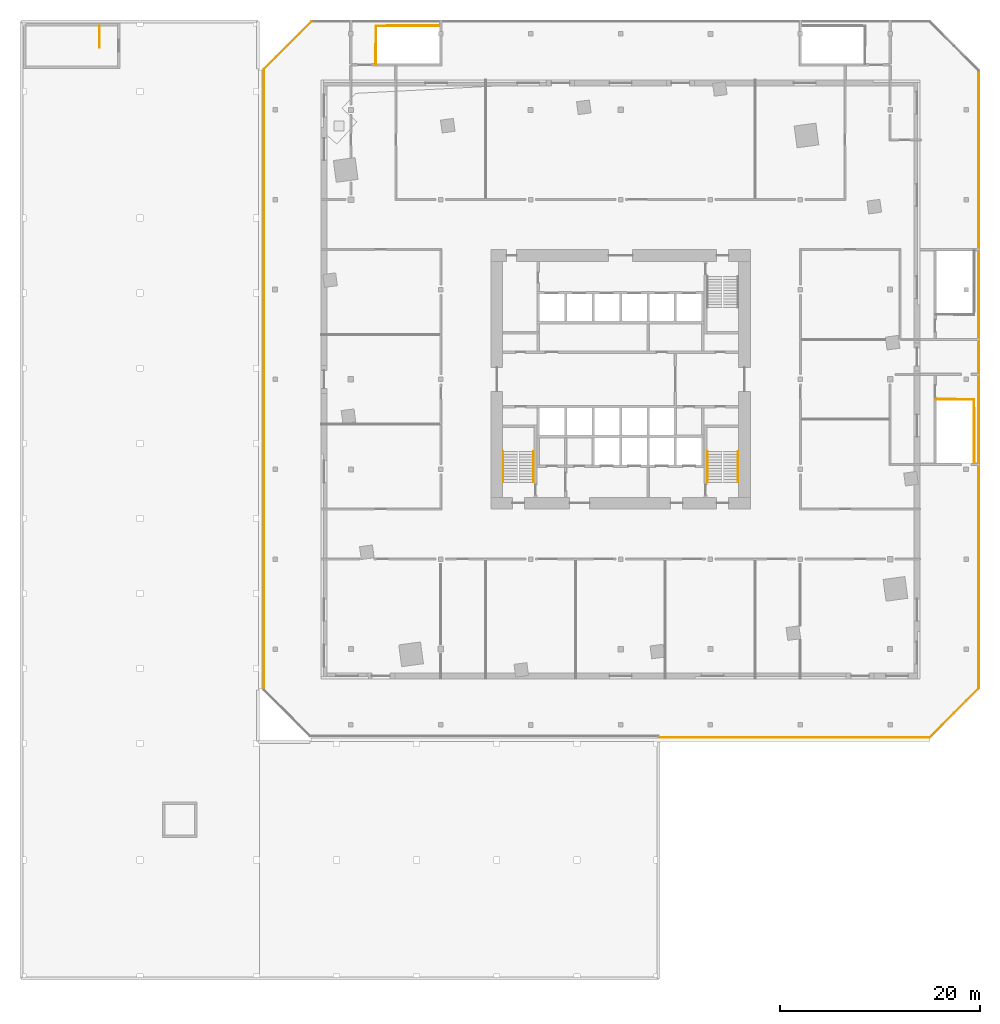
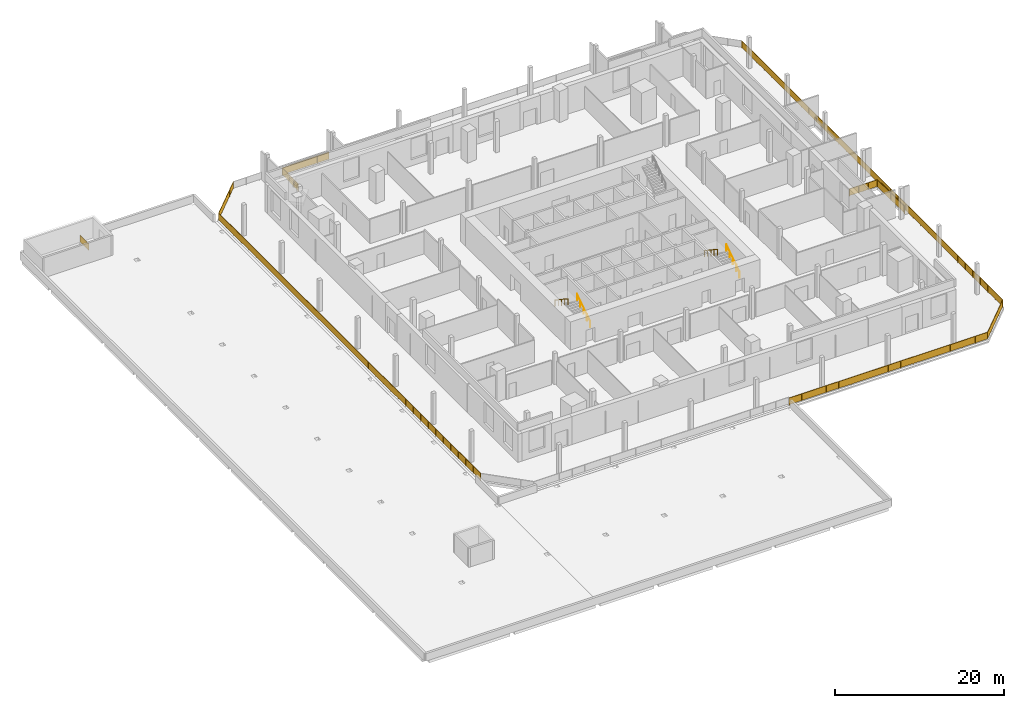
# One storey, part 11 of 12: 16 railings.
"""IFC4 building model written with IfcOpenShell, lengths in metres."""

from ifc_helpers import new_model, si_unit, direction, frame, origin, origin_2d, place, context, subcontext, project, spatial, rectangle, circle, extrude, material, type_object, element, save


model = new_model("IFC4")

# Units and contexts
model_context = context("Model", 3, precision=1e-05, world=origin(), true_north=direction((0.0, 1.0)))
body_context = subcontext(model_context, "Body", "Model", "MODEL_VIEW")
ifc_project = project(units=[si_unit("LENGTHUNIT", "METRE"), si_unit("AREAUNIT", "SQUARE_METRE"), si_unit("VOLUMEUNIT", "CUBIC_METRE"), si_unit("PLANEANGLEUNIT", "RADIAN"), si_unit("MASSUNIT", "GRAM", prefix="KILO")], contexts=[model_context])

# Site, building, storey
site_placement = place(None, origin())
site = spatial("IfcSite", under=ifc_project, at=site_placement, CompositionType="ELEMENT")
building_placement = place(site_placement, origin())
building = spatial("IfcBuilding", under=site, at=building_placement, Name="Dilmun Exchange Tower", CompositionType="ELEMENT")
storey_placement = place(building_placement, frame((0.0, 0.0, 18.0)))
storey = spatial("IfcBuildingStorey", under=building, at=storey_placement, Name="L04", CompositionType="ELEMENT", Elevation=18.0)

# Railings
ifc_material_1 = material(Name="Guard 1100")
railing_type_1 = type_object("IfcRailingType", Name="Guard 1100", PredefinedType="GUARDRAIL", material=ifc_material_1)
railing_1_placement = place(storey_placement, frame((-23.39990234375, 35.4599609375, 0.0)))
element("IfcRailing", 1, at=railing_1_placement, inside=storey, type_object=railing_type_1, Name="L04 guard at PS1 well", PredefinedType="GUARDRAIL", context=body_context, shape_type="SweptSolid", body=[
    extrude(circle(Radius=0.02392578125, at=origin_2d()), frame((0.0, 0.0, 1.076171875), z_axis=(1.0, 0.0, 0.0), x_axis=(0.0, 1.0, 0.0)), (0.0, 0.0, 1.0), 5.2998046875),
    extrude(rectangle(XDim=0.011962890625, YDim=0.951904296875, at=origin_2d()), frame((0.0, 0.0, 0.576171875), z_axis=(1.0, 0.0, 0.0), x_axis=(0.0, 1.0, 0.0)), (0.0, 0.0, 1.0), 5.2998046875),
    extrude(circle(Radius=0.02099609375, at=origin_2d()), origin(), (0.0, 0.0, 1.0), 1.052001953125),
    extrude(circle(Radius=0.02099609375, at=origin_2d()), frame((1.06005859375, 0.0, 0.0)), (0.0, 0.0, 1.0), 1.052001953125),
    extrude(circle(Radius=0.02099609375, at=origin_2d()), frame((2.119873046875, 0.0, 0.0)), (0.0, 0.0, 1.0), 1.052001953125),
    extrude(circle(Radius=0.02099609375, at=origin_2d()), frame((3.179931640625, 0.0, 0.0)), (0.0, 0.0, 1.0), 1.052001953125),
    extrude(circle(Radius=0.02099609375, at=origin_2d()), frame((4.23974609375, 0.0, 0.0)), (0.0, 0.0, 1.0), 1.052001953125),
    extrude(circle(Radius=0.02099609375, at=origin_2d()), frame((5.2998046875, 0.0, 0.0)), (0.0, 0.0, 1.0), 1.052001953125),
])
railing_2_placement = place(storey_placement, frame((35.4599609375, -8.39990234375, 0.0)))
element("IfcRailing", 2, at=railing_2_placement, inside=storey, type_object=railing_type_1, Name="L04 guard at PS3 well", PredefinedType="GUARDRAIL", context=body_context, shape_type="SweptSolid", body=[
    extrude(circle(Radius=0.02392578125, at=origin_2d()), frame((0.0, 0.0, 1.076171875), z_axis=(0.0, 1.0, 0.0), x_axis=(-1.0, 0.0, 0.0)), (0.0, 0.0, 1.0), 5.5),
    extrude(rectangle(XDim=0.011962890625, YDim=0.951904296875, at=origin_2d()), frame((0.0, 0.0, 0.576171875), z_axis=(0.0, 1.0, 0.0), x_axis=(-1.0, 0.0, 0.0)), (0.0, 0.0, 1.0), 5.5),
    extrude(circle(Radius=0.02099609375, at=origin_2d()), origin(), (0.0, 0.0, 1.0), 1.052001953125),
    extrude(circle(Radius=0.02099609375, at=origin_2d()), frame((0.0, 1.10009765625, 0.0)), (0.0, 0.0, 1.0), 1.052001953125),
    extrude(circle(Radius=0.02099609375, at=origin_2d()), frame((0.0, 2.199951171875, 0.0)), (0.0, 0.0, 1.0), 1.052001953125),
    extrude(circle(Radius=0.02099609375, at=origin_2d()), frame((0.0, 3.300048828125, 0.0)), (0.0, 0.0, 1.0), 1.052001953125),
    extrude(circle(Radius=0.02099609375, at=origin_2d()), frame((0.0, 4.39990234375, 0.0)), (0.0, 0.0, 1.0), 1.052001953125),
    extrude(circle(Radius=0.02099609375, at=origin_2d()), frame((0.0, 5.5, 0.0)), (0.0, 0.0, 1.0), 1.052001953125),
])
railing_3_placement = place(storey_placement, frame((-24.550048828125, 31.60009765625, 0.0)))
element("IfcRailing", 3, at=railing_3_placement, inside=storey, type_object=railing_type_1, Name="L04 PS1 top well guard 1", PredefinedType="GUARDRAIL", context=body_context, shape_type="SweptSolid", body=[
    extrude(circle(Radius=0.02392578125, at=origin_2d()), frame((0.0, 0.0, 1.076171875), z_axis=(0.0, 1.0, 0.0), x_axis=(-1.0, 0.0, 0.0)), (0.0, 0.0, 1.0), 1.973876953125),
    extrude(rectangle(XDim=0.011962890625, YDim=0.951904296875, at=origin_2d()), frame((0.0, 0.0, 0.576171875), z_axis=(0.0, 1.0, 0.0), x_axis=(-1.0, 0.0, 0.0)), (0.0, 0.0, 1.0), 1.973876953125),
    extrude(circle(Radius=0.02099609375, at=origin_2d()), origin(), (0.0, 0.0, 1.0), 1.052001953125),
    extrude(circle(Radius=0.02099609375, at=origin_2d()), frame((0.0, 0.98681640625, 0.0)), (0.0, 0.0, 1.0), 1.052001953125),
    extrude(circle(Radius=0.02099609375, at=origin_2d()), frame((0.0, 1.973876953125, 0.0)), (0.0, 0.0, 1.0), 1.052001953125),
])
railing_4_placement = place(storey_placement, frame((31.60009765625, -1.949951171875, 0.0)))
element("IfcRailing", 4, at=railing_4_placement, inside=storey, type_object=railing_type_1, Name="L04 PS3 top well guard 1", PredefinedType="GUARDRAIL", context=body_context, shape_type="SweptSolid", body=[
    extrude(circle(Radius=0.02392578125, at=origin_2d()), frame((0.0, 0.0, 1.076171875), z_axis=(1.0, 0.0, 0.0), x_axis=(0.0, 1.0, 0.0)), (0.0, 0.0, 1.0), 1.973876953125),
    extrude(rectangle(XDim=0.011962890625, YDim=0.951904296875, at=origin_2d()), frame((0.0, 0.0, 0.576171875), z_axis=(1.0, 0.0, 0.0), x_axis=(0.0, 1.0, 0.0)), (0.0, 0.0, 1.0), 1.973876953125),
    extrude(circle(Radius=0.02099609375, at=origin_2d()), origin(), (0.0, 0.0, 1.0), 1.052001953125),
    extrude(circle(Radius=0.02099609375, at=origin_2d()), frame((0.98681640625, 0.0, 0.0)), (0.0, 0.0, 1.0), 1.052001953125),
    extrude(circle(Radius=0.02099609375, at=origin_2d()), frame((1.973876953125, 0.0, 0.0)), (0.0, 0.0, 1.0), 1.052001953125),
])
ifc_material_2 = material(Name="Steel S355", Category="steel")
railing_type_2 = type_object("IfcRailingType", Name="School stair guard 1100", PredefinedType="GUARDRAIL", material=ifc_material_2)
railing_5_placement = place(storey_placement, frame((-52.199951171875, 35.39990234375, 0.0)))
element("IfcRailing", 5, at=railing_5_placement, inside=storey, type_object=railing_type_2, Name="L04 SCH-S1 top well guard 1", PredefinedType="GUARDRAIL", context=body_context, shape_type="SweptSolid", body=[
    extrude(circle(Radius=0.02392578125, at=origin_2d()), frame((0.0, 0.0, 1.076171875), z_axis=(0.0, -1.0, 0.0), x_axis=(1.0, 0.0, 0.0)), (0.0, 0.0, 1.0), 2.14990234375),
    extrude(rectangle(XDim=0.011962890625, YDim=0.951904296875, at=origin_2d()), frame((0.0, 0.0, 0.576171875), z_axis=(0.0, -1.0, 0.0), x_axis=(1.0, 0.0, 0.0)), (0.0, 0.0, 1.0), 2.14990234375),
    extrude(circle(Radius=0.02099609375, at=origin_2d()), origin(), (0.0, 0.0, 1.0), 1.052001953125),
    extrude(circle(Radius=0.02099609375, at=origin_2d()), frame((0.0, -1.074951171875, 0.0)), (0.0, 0.0, 1.0), 1.052001953125),
    extrude(circle(Radius=0.02099609375, at=origin_2d()), frame((0.0, -2.14990234375, 0.0)), (0.0, 0.0, 1.0), 1.052001953125),
])
ifc_material_3 = material(Name="Stainless steel", Category="steel")
railing_type_3 = type_object("IfcRailingType", Name="Stair handrail 900", PredefinedType="HANDRAIL", material=ifc_material_3)
railing_6_placement = place(storey_placement, frame((-8.699951171875, -10.300048828125, 0.1875)))
element("IfcRailing", 6, at=railing_6_placement, inside=storey, type_object=railing_type_3, Name="L04 ST2 stair handrail 1", PredefinedType="HANDRAIL", context=body_context, shape_type="SweptSolid", body=[
    extrude(circle(Radius=0.02392578125, at=origin_2d()), frame((0.0, 0.0, 0.8759765625), z_axis=(0.0, 0.830913701846, 0.55640131208), x_axis=(-1.0, 0.0, 0.0)), (0.0, 0.0, 1.0), 3.706787109375),
    extrude(circle(Radius=0.02099609375, at=origin_2d()), origin(), (0.0, 0.0, 1.0), 0.851806640625),
    extrude(circle(Radius=0.02099609375, at=origin_2d()), frame((0.0, 0.77001953125, 0.515625)), (0.0, 0.0, 1.0), 0.851806640625),
    extrude(circle(Radius=0.02099609375, at=origin_2d()), frame((0.0, 1.5400390625, 1.03125)), (0.0, 0.0, 1.0), 0.851806640625),
    extrude(circle(Radius=0.02099609375, at=origin_2d()), frame((0.0, 2.31005859375, 1.546875)), (0.0, 0.0, 1.0), 0.851806640625),
    extrude(circle(Radius=0.02099609375, at=origin_2d()), frame((0.0, 3.080078125, 2.0625)), (0.0, 0.0, 1.0), 0.851806640625),
])
railing_7_placement = place(storey_placement, frame((-11.75, -7.219970703125, 2.4375)))
element("IfcRailing", 7, at=railing_7_placement, inside=storey, type_object=railing_type_3, Name="L04 ST2 stair handrail 2", PredefinedType="HANDRAIL", context=body_context, shape_type="SweptSolid", body=[
    extrude(circle(Radius=0.02392578125, at=origin_2d()), frame((0.0, 0.0, 0.8759765625), z_axis=(0.0, -0.830913701846, 0.55640131208), x_axis=(1.0, 0.0, 0.0)), (0.0, 0.0, 1.0), 3.706787109375),
    extrude(circle(Radius=0.02099609375, at=origin_2d()), origin(), (0.0, 0.0, 1.0), 0.851806640625),
    extrude(circle(Radius=0.02099609375, at=origin_2d()), frame((0.0, -0.77001953125, 0.515625)), (0.0, 0.0, 1.0), 0.851806640625),
    extrude(circle(Radius=0.02099609375, at=origin_2d()), frame((0.0, -1.5400390625, 1.03125)), (0.0, 0.0, 1.0), 0.851806640625),
    extrude(circle(Radius=0.02099609375, at=origin_2d()), frame((0.0, -2.31005859375, 1.546875)), (0.0, 0.0, 1.0), 0.851806640625),
    extrude(circle(Radius=0.02099609375, at=origin_2d()), frame((0.0, -3.080078125, 2.0625)), (0.0, 0.0, 1.0), 0.851806640625),
])
railing_8_placement = place(storey_placement, frame((11.75, -10.300048828125, 0.1875)))
element("IfcRailing", 8, at=railing_8_placement, inside=storey, type_object=railing_type_3, Name="L04 ST3 stair handrail 1", PredefinedType="HANDRAIL", context=body_context, shape_type="SweptSolid", body=[
    extrude(circle(Radius=0.02392578125, at=origin_2d()), frame((0.0, 0.0, 0.8759765625), z_axis=(0.0, 0.830913701846, 0.55640131208), x_axis=(-1.0, 0.0, 0.0)), (0.0, 0.0, 1.0), 3.706787109375),
    extrude(circle(Radius=0.02099609375, at=origin_2d()), origin(), (0.0, 0.0, 1.0), 0.851806640625),
    extrude(circle(Radius=0.02099609375, at=origin_2d()), frame((0.0, 0.77001953125, 0.515625)), (0.0, 0.0, 1.0), 0.851806640625),
    extrude(circle(Radius=0.02099609375, at=origin_2d()), frame((0.0, 1.5400390625, 1.03125)), (0.0, 0.0, 1.0), 0.851806640625),
    extrude(circle(Radius=0.02099609375, at=origin_2d()), frame((0.0, 2.31005859375, 1.546875)), (0.0, 0.0, 1.0), 0.851806640625),
    extrude(circle(Radius=0.02099609375, at=origin_2d()), frame((0.0, 3.080078125, 2.0625)), (0.0, 0.0, 1.0), 0.851806640625),
])
railing_9_placement = place(storey_placement, frame((8.699951171875, -7.219970703125, 2.4375)))
element("IfcRailing", 9, at=railing_9_placement, inside=storey, type_object=railing_type_3, Name="L04 ST3 stair handrail 2", PredefinedType="HANDRAIL", context=body_context, shape_type="SweptSolid", body=[
    extrude(circle(Radius=0.02392578125, at=origin_2d()), frame((0.0, 0.0, 0.8759765625), z_axis=(0.0, -0.830913701846, 0.55640131208), x_axis=(1.0, 0.0, 0.0)), (0.0, 0.0, 1.0), 3.706787109375),
    extrude(circle(Radius=0.02099609375, at=origin_2d()), origin(), (0.0, 0.0, 1.0), 0.851806640625),
    extrude(circle(Radius=0.02099609375, at=origin_2d()), frame((0.0, -0.77001953125, 0.515625)), (0.0, 0.0, 1.0), 0.851806640625),
    extrude(circle(Radius=0.02099609375, at=origin_2d()), frame((0.0, -1.5400390625, 1.03125)), (0.0, 0.0, 1.0), 0.851806640625),
    extrude(circle(Radius=0.02099609375, at=origin_2d()), frame((0.0, -2.31005859375, 1.546875)), (0.0, 0.0, 1.0), 0.851806640625),
    extrude(circle(Radius=0.02099609375, at=origin_2d()), frame((0.0, -3.080078125, 2.0625)), (0.0, 0.0, 1.0), 0.851806640625),
])
railing_type_4 = type_object("IfcRailingType", Name="Terrace guard 1100 stainless steel", PredefinedType="GUARDRAIL", material=ifc_material_3)
railing_10_placement = place(storey_placement, frame((3.782958984375, -35.85009765625, 0.0)))
element("IfcRailing", 10, at=railing_10_placement, inside=storey, type_object=railing_type_4, Name="Podium terrace guard 3", PredefinedType="GUARDRAIL", context=body_context, shape_type="SweptSolid", body=[
    extrude(circle(Radius=0.02392578125, at=origin_2d()), frame((0.0, 0.0, 1.076171875), z_axis=(1.0, 0.0, 0.0), x_axis=(0.0, 1.0, 0.0)), (0.0, 0.0, 1.0), 27.155029296875),
    extrude(rectangle(XDim=0.011962890625, YDim=0.951904296875, at=origin_2d()), frame((0.0, 0.0, 0.576171875), z_axis=(1.0, 0.0, 0.0), x_axis=(0.0, 1.0, 0.0)), (0.0, 0.0, 1.0), 27.155029296875),
    extrude(circle(Radius=0.02099609375, at=origin_2d()), origin(), (0.0, 0.0, 1.0), 1.052001953125),
    extrude(circle(Radius=0.02099609375, at=origin_2d()), frame((1.697265625, 0.0, 0.0)), (0.0, 0.0, 1.0), 1.052001953125),
    extrude(circle(Radius=0.02099609375, at=origin_2d()), frame((3.394287109375, 0.0, 0.0)), (0.0, 0.0, 1.0), 1.052001953125),
    extrude(circle(Radius=0.02099609375, at=origin_2d()), frame((5.091552734375, 0.0, 0.0)), (0.0, 0.0, 1.0), 1.052001953125),
    extrude(circle(Radius=0.02099609375, at=origin_2d()), frame((6.788818359375, 0.0, 0.0)), (0.0, 0.0, 1.0), 1.052001953125),
    extrude(circle(Radius=0.02099609375, at=origin_2d()), frame((8.48583984375, 0.0, 0.0)), (0.0, 0.0, 1.0), 1.052001953125),
    extrude(circle(Radius=0.02099609375, at=origin_2d()), frame((10.18310546875, 0.0, 0.0)), (0.0, 0.0, 1.0), 1.052001953125),
    extrude(circle(Radius=0.02099609375, at=origin_2d()), frame((11.88037109375, 0.0, 0.0)), (0.0, 0.0, 1.0), 1.052001953125),
    extrude(circle(Radius=0.02099609375, at=origin_2d()), frame((13.57763671875, 0.0, 0.0)), (0.0, 0.0, 1.0), 1.052001953125),
    extrude(circle(Radius=0.02099609375, at=origin_2d()), frame((15.274658203125, 0.0, 0.0)), (0.0, 0.0, 1.0), 1.052001953125),
    extrude(circle(Radius=0.02099609375, at=origin_2d()), frame((16.971923828125, 0.0, 0.0)), (0.0, 0.0, 1.0), 1.052001953125),
    extrude(circle(Radius=0.02099609375, at=origin_2d()), frame((18.669189453125, 0.0, 0.0)), (0.0, 0.0, 1.0), 1.052001953125),
    extrude(circle(Radius=0.02099609375, at=origin_2d()), frame((20.3662109375, 0.0, 0.0)), (0.0, 0.0, 1.0), 1.052001953125),
    extrude(circle(Radius=0.02099609375, at=origin_2d()), frame((22.0634765625, 0.0, 0.0)), (0.0, 0.0, 1.0), 1.052001953125),
    extrude(circle(Radius=0.02099609375, at=origin_2d()), frame((23.7607421875, 0.0, 0.0)), (0.0, 0.0, 1.0), 1.052001953125),
    extrude(circle(Radius=0.02099609375, at=origin_2d()), frame((25.457763671875, 0.0, 0.0)), (0.0, 0.0, 1.0), 1.052001953125),
    extrude(circle(Radius=0.02099609375, at=origin_2d()), frame((27.155029296875, 0.0, 0.0)), (0.0, 0.0, 1.0), 1.052001953125),
])
railing_11_placement = place(storey_placement, frame((30.93798828125, -35.85009765625, 0.0)))
element("IfcRailing", 11, at=railing_11_placement, inside=storey, type_object=railing_type_4, Name="Podium terrace guard 4", PredefinedType="GUARDRAIL", context=body_context, shape_type="SweptSolid", body=[
    extrude(circle(Radius=0.02392578125, at=origin_2d()), frame((0.0, 0.0, 1.076171875), z_axis=(0.707106781187, 0.707106781187, 0.0), x_axis=(-0.707106781187, 0.707106781187, 0.0)), (0.0, 0.0, 1.0), 6.94677734375),
    extrude(rectangle(XDim=0.011962890625, YDim=0.951904296875, at=origin_2d()), frame((0.0, 0.0, 0.576171875), z_axis=(0.707106781187, 0.707106781187, 0.0), x_axis=(-0.707106781187, 0.707106781187, 0.0)), (0.0, 0.0, 1.0), 6.94677734375),
    extrude(circle(Radius=0.02099609375, at=origin_2d()), origin(), (0.0, 0.0, 1.0), 1.052001953125),
    extrude(circle(Radius=0.02099609375, at=origin_2d()), frame((1.22802734375, 1.22802734375, 0.0)), (0.0, 0.0, 1.0), 1.052001953125),
    extrude(circle(Radius=0.02099609375, at=origin_2d()), frame((2.4560546875, 2.4560546875, 0.0)), (0.0, 0.0, 1.0), 1.052001953125),
    extrude(circle(Radius=0.02099609375, at=origin_2d()), frame((3.68408203125, 3.68408203125, 0.0)), (0.0, 0.0, 1.0), 1.052001953125),
    extrude(circle(Radius=0.02099609375, at=origin_2d()), frame((4.912109375, 4.912109375, 0.0)), (0.0, 0.0, 1.0), 1.052001953125),
])
railing_12_placement = place(storey_placement, frame((35.85009765625, -30.93798828125, 0.0)))
element("IfcRailing", 12, at=railing_12_placement, inside=storey, type_object=railing_type_4, Name="Podium terrace guard 5", PredefinedType="GUARDRAIL", context=body_context, shape_type="SweptSolid", body=[
    extrude(circle(Radius=0.02392578125, at=origin_2d()), frame((0.0, 0.0, 1.076171875), z_axis=(0.0, 1.0, 0.0), x_axis=(-1.0, 0.0, 0.0)), (0.0, 0.0, 1.0), 61.8759765625),
    extrude(rectangle(XDim=0.011962890625, YDim=0.951904296875, at=origin_2d()), frame((0.0, 0.0, 0.576171875), z_axis=(0.0, 1.0, 0.0), x_axis=(-1.0, 0.0, 0.0)), (0.0, 0.0, 1.0), 61.8759765625),
    extrude(circle(Radius=0.02099609375, at=origin_2d()), origin(), (0.0, 0.0, 1.0), 1.052001953125),
    extrude(circle(Radius=0.02099609375, at=origin_2d()), frame((0.0, 1.767822265625, 0.0)), (0.0, 0.0, 1.0), 1.052001953125),
    extrude(circle(Radius=0.02099609375, at=origin_2d()), frame((0.0, 3.535888671875, 0.0)), (0.0, 0.0, 1.0), 1.052001953125),
    extrude(circle(Radius=0.02099609375, at=origin_2d()), frame((0.0, 5.3037109375, 0.0)), (0.0, 0.0, 1.0), 1.052001953125),
    extrude(circle(Radius=0.02099609375, at=origin_2d()), frame((0.0, 7.071533203125, 0.0)), (0.0, 0.0, 1.0), 1.052001953125),
    extrude(circle(Radius=0.02099609375, at=origin_2d()), frame((0.0, 8.83935546875, 0.0)), (0.0, 0.0, 1.0), 1.052001953125),
    extrude(circle(Radius=0.02099609375, at=origin_2d()), frame((0.0, 10.607421875, 0.0)), (0.0, 0.0, 1.0), 1.052001953125),
    extrude(circle(Radius=0.02099609375, at=origin_2d()), frame((0.0, 12.375244140625, 0.0)), (0.0, 0.0, 1.0), 1.052001953125),
    extrude(circle(Radius=0.02099609375, at=origin_2d()), frame((0.0, 14.14306640625, 0.0)), (0.0, 0.0, 1.0), 1.052001953125),
    extrude(circle(Radius=0.02099609375, at=origin_2d()), frame((0.0, 15.910888671875, 0.0)), (0.0, 0.0, 1.0), 1.052001953125),
    extrude(circle(Radius=0.02099609375, at=origin_2d()), frame((0.0, 17.678955078125, 0.0)), (0.0, 0.0, 1.0), 1.052001953125),
    extrude(circle(Radius=0.02099609375, at=origin_2d()), frame((0.0, 19.44677734375, 0.0)), (0.0, 0.0, 1.0), 1.052001953125),
    extrude(circle(Radius=0.02099609375, at=origin_2d()), frame((0.0, 21.214599609375, 0.0)), (0.0, 0.0, 1.0), 1.052001953125),
    extrude(circle(Radius=0.02099609375, at=origin_2d()), frame((0.0, 22.982421875, 0.0)), (0.0, 0.0, 1.0), 1.052001953125),
    extrude(circle(Radius=0.02099609375, at=origin_2d()), frame((0.0, 24.75048828125, 0.0)), (0.0, 0.0, 1.0), 1.052001953125),
    extrude(circle(Radius=0.02099609375, at=origin_2d()), frame((0.0, 26.518310546875, 0.0)), (0.0, 0.0, 1.0), 1.052001953125),
    extrude(circle(Radius=0.02099609375, at=origin_2d()), frame((0.0, 28.2861328125, 0.0)), (0.0, 0.0, 1.0), 1.052001953125),
    extrude(circle(Radius=0.02099609375, at=origin_2d()), frame((0.0, 30.053955078125, 0.0)), (0.0, 0.0, 1.0), 1.052001953125),
    extrude(circle(Radius=0.02099609375, at=origin_2d()), frame((0.0, 31.822021484375, 0.0)), (0.0, 0.0, 1.0), 1.052001953125),
    extrude(circle(Radius=0.02099609375, at=origin_2d()), frame((0.0, 33.58984375, 0.0)), (0.0, 0.0, 1.0), 1.052001953125),
    extrude(circle(Radius=0.02099609375, at=origin_2d()), frame((0.0, 35.357666015625, 0.0)), (0.0, 0.0, 1.0), 1.052001953125),
    extrude(circle(Radius=0.02099609375, at=origin_2d()), frame((0.0, 37.12548828125, 0.0)), (0.0, 0.0, 1.0), 1.052001953125),
    extrude(circle(Radius=0.02099609375, at=origin_2d()), frame((0.0, 38.8935546875, 0.0)), (0.0, 0.0, 1.0), 1.052001953125),
    extrude(circle(Radius=0.02099609375, at=origin_2d()), frame((0.0, 40.661376953125, 0.0)), (0.0, 0.0, 1.0), 1.052001953125),
    extrude(circle(Radius=0.02099609375, at=origin_2d()), frame((0.0, 42.42919921875, 0.0)), (0.0, 0.0, 1.0), 1.052001953125),
    extrude(circle(Radius=0.02099609375, at=origin_2d()), frame((0.0, 44.197021484375, 0.0)), (0.0, 0.0, 1.0), 1.052001953125),
    extrude(circle(Radius=0.02099609375, at=origin_2d()), frame((0.0, 45.965087890625, 0.0)), (0.0, 0.0, 1.0), 1.052001953125),
    extrude(circle(Radius=0.02099609375, at=origin_2d()), frame((0.0, 47.73291015625, 0.0)), (0.0, 0.0, 1.0), 1.052001953125),
    extrude(circle(Radius=0.02099609375, at=origin_2d()), frame((0.0, 49.500732421875, 0.0)), (0.0, 0.0, 1.0), 1.052001953125),
    extrude(circle(Radius=0.02099609375, at=origin_2d()), frame((0.0, 51.2685546875, 0.0)), (0.0, 0.0, 1.0), 1.052001953125),
    extrude(circle(Radius=0.02099609375, at=origin_2d()), frame((0.0, 53.03662109375, 0.0)), (0.0, 0.0, 1.0), 1.052001953125),
    extrude(circle(Radius=0.02099609375, at=origin_2d()), frame((0.0, 54.804443359375, 0.0)), (0.0, 0.0, 1.0), 1.052001953125),
    extrude(circle(Radius=0.02099609375, at=origin_2d()), frame((0.0, 56.572265625, 0.0)), (0.0, 0.0, 1.0), 1.052001953125),
    extrude(circle(Radius=0.02099609375, at=origin_2d()), frame((0.0, 58.340087890625, 0.0)), (0.0, 0.0, 1.0), 1.052001953125),
    extrude(circle(Radius=0.02099609375, at=origin_2d()), frame((0.0, 60.108154296875, 0.0)), (0.0, 0.0, 1.0), 1.052001953125),
    extrude(circle(Radius=0.02099609375, at=origin_2d()), frame((0.0, 61.8759765625, 0.0)), (0.0, 0.0, 1.0), 1.052001953125),
])
railing_13_placement = place(storey_placement, frame((-30.93798828125, 35.85009765625, 0.0)))
element("IfcRailing", 13, at=railing_13_placement, inside=storey, type_object=railing_type_4, Name="Podium terrace guard 8", PredefinedType="GUARDRAIL", context=body_context, shape_type="SweptSolid", body=[
    extrude(circle(Radius=0.02392578125, at=origin_2d()), frame((0.0, 0.0, 1.076171875), z_axis=(-0.707088655124, -0.707124906785, 0.0), x_axis=(0.707124906785, -0.707088655124, 0.0)), (0.0, 0.0, 1.0), 6.734619140625),
    extrude(rectangle(XDim=0.011962890625, YDim=0.951904296875, at=origin_2d()), frame((0.0, 0.0, 0.576171875), z_axis=(-0.707088655124, -0.707124906785, 0.0), x_axis=(0.707124906785, -0.707088655124, 0.0)), (0.0, 0.0, 1.0), 6.734619140625),
    extrude(circle(Radius=0.02099609375, at=origin_2d()), origin(), (0.0, 0.0, 1.0), 1.052001953125),
    extrude(circle(Radius=0.02099609375, at=origin_2d()), frame((-1.1904296875, -1.1904296875, 0.0)), (0.0, 0.0, 1.0), 1.052001953125),
    extrude(circle(Radius=0.02099609375, at=origin_2d()), frame((-2.380859375, -2.381103515625, 0.0)), (0.0, 0.0, 1.0), 1.052001953125),
    extrude(circle(Radius=0.02099609375, at=origin_2d()), frame((-3.571533203125, -3.57177734375, 0.0)), (0.0, 0.0, 1.0), 1.052001953125),
    extrude(circle(Radius=0.02099609375, at=origin_2d()), frame((-4.761962890625, -4.76220703125, 0.0)), (0.0, 0.0, 1.0), 1.052001953125),
])
railing_14_placement = place(storey_placement, frame((-35.699951171875, 31.087890625, 0.0)))
element("IfcRailing", 14, at=railing_14_placement, inside=storey, type_object=railing_type_4, Name="Podium terrace guard 9", PredefinedType="GUARDRAIL", context=body_context, shape_type="SweptSolid", body=[
    extrude(circle(Radius=0.02392578125, at=origin_2d()), frame((0.0, 0.0, 1.076171875), z_axis=(0.0, -1.0, 0.0), x_axis=(1.0, 0.0, 0.0)), (0.0, 0.0, 1.0), 62.17578125),
    extrude(rectangle(XDim=0.011962890625, YDim=0.951904296875, at=origin_2d()), frame((0.0, 0.0, 0.576171875), z_axis=(0.0, -1.0, 0.0), x_axis=(1.0, 0.0, 0.0)), (0.0, 0.0, 1.0), 62.17578125),
    extrude(circle(Radius=0.02099609375, at=origin_2d()), origin(), (0.0, 0.0, 1.0), 1.052001953125),
    extrude(circle(Radius=0.02099609375, at=origin_2d()), frame((0.0, -1.7763671875, 0.0)), (0.0, 0.0, 1.0), 1.052001953125),
    extrude(circle(Radius=0.02099609375, at=origin_2d()), frame((0.0, -3.552978515625, 0.0)), (0.0, 0.0, 1.0), 1.052001953125),
    extrude(circle(Radius=0.02099609375, at=origin_2d()), frame((0.0, -5.329345703125, 0.0)), (0.0, 0.0, 1.0), 1.052001953125),
    extrude(circle(Radius=0.02099609375, at=origin_2d()), frame((0.0, -7.105712890625, 0.0)), (0.0, 0.0, 1.0), 1.052001953125),
    extrude(circle(Radius=0.02099609375, at=origin_2d()), frame((0.0, -8.88232421875, 0.0)), (0.0, 0.0, 1.0), 1.052001953125),
    extrude(circle(Radius=0.02099609375, at=origin_2d()), frame((0.0, -10.65869140625, 0.0)), (0.0, 0.0, 1.0), 1.052001953125),
    extrude(circle(Radius=0.02099609375, at=origin_2d()), frame((0.0, -12.43505859375, 0.0)), (0.0, 0.0, 1.0), 1.052001953125),
    extrude(circle(Radius=0.02099609375, at=origin_2d()), frame((0.0, -14.211669921875, 0.0)), (0.0, 0.0, 1.0), 1.052001953125),
    extrude(circle(Radius=0.02099609375, at=origin_2d()), frame((0.0, -15.988037109375, 0.0)), (0.0, 0.0, 1.0), 1.052001953125),
    extrude(circle(Radius=0.02099609375, at=origin_2d()), frame((0.0, -17.764404296875, 0.0)), (0.0, 0.0, 1.0), 1.052001953125),
    extrude(circle(Radius=0.02099609375, at=origin_2d()), frame((0.0, -19.541015625, 0.0)), (0.0, 0.0, 1.0), 1.052001953125),
    extrude(circle(Radius=0.02099609375, at=origin_2d()), frame((0.0, -21.3173828125, 0.0)), (0.0, 0.0, 1.0), 1.052001953125),
    extrude(circle(Radius=0.02099609375, at=origin_2d()), frame((0.0, -23.09375, 0.0)), (0.0, 0.0, 1.0), 1.052001953125),
    extrude(circle(Radius=0.02099609375, at=origin_2d()), frame((0.0, -24.870361328125, 0.0)), (0.0, 0.0, 1.0), 1.052001953125),
    extrude(circle(Radius=0.02099609375, at=origin_2d()), frame((0.0, -26.646728515625, 0.0)), (0.0, 0.0, 1.0), 1.052001953125),
    extrude(circle(Radius=0.02099609375, at=origin_2d()), frame((0.0, -28.423095703125, 0.0)), (0.0, 0.0, 1.0), 1.052001953125),
    extrude(circle(Radius=0.02099609375, at=origin_2d()), frame((0.0, -30.19970703125, 0.0)), (0.0, 0.0, 1.0), 1.052001953125),
    extrude(circle(Radius=0.02099609375, at=origin_2d()), frame((0.0, -31.97607421875, 0.0)), (0.0, 0.0, 1.0), 1.052001953125),
    extrude(circle(Radius=0.02099609375, at=origin_2d()), frame((0.0, -33.752685546875, 0.0)), (0.0, 0.0, 1.0), 1.052001953125),
    extrude(circle(Radius=0.02099609375, at=origin_2d()), frame((0.0, -35.529052734375, 0.0)), (0.0, 0.0, 1.0), 1.052001953125),
    extrude(circle(Radius=0.02099609375, at=origin_2d()), frame((0.0, -37.305419921875, 0.0)), (0.0, 0.0, 1.0), 1.052001953125),
    extrude(circle(Radius=0.02099609375, at=origin_2d()), frame((0.0, -39.08203125, 0.0)), (0.0, 0.0, 1.0), 1.052001953125),
    extrude(circle(Radius=0.02099609375, at=origin_2d()), frame((0.0, -40.8583984375, 0.0)), (0.0, 0.0, 1.0), 1.052001953125),
    extrude(circle(Radius=0.02099609375, at=origin_2d()), frame((0.0, -42.634765625, 0.0)), (0.0, 0.0, 1.0), 1.052001953125),
    extrude(circle(Radius=0.02099609375, at=origin_2d()), frame((0.0, -44.411376953125, 0.0)), (0.0, 0.0, 1.0), 1.052001953125),
    extrude(circle(Radius=0.02099609375, at=origin_2d()), frame((0.0, -46.187744140625, 0.0)), (0.0, 0.0, 1.0), 1.052001953125),
    extrude(circle(Radius=0.02099609375, at=origin_2d()), frame((0.0, -47.964111328125, 0.0)), (0.0, 0.0, 1.0), 1.052001953125),
    extrude(circle(Radius=0.02099609375, at=origin_2d()), frame((0.0, -49.74072265625, 0.0)), (0.0, 0.0, 1.0), 1.052001953125),
    extrude(circle(Radius=0.02099609375, at=origin_2d()), frame((0.0, -51.51708984375, 0.0)), (0.0, 0.0, 1.0), 1.052001953125),
    extrude(circle(Radius=0.02099609375, at=origin_2d()), frame((0.0, -53.29345703125, 0.0)), (0.0, 0.0, 1.0), 1.052001953125),
    extrude(circle(Radius=0.02099609375, at=origin_2d()), frame((0.0, -55.070068359375, 0.0)), (0.0, 0.0, 1.0), 1.052001953125),
    extrude(circle(Radius=0.02099609375, at=origin_2d()), frame((0.0, -56.846435546875, 0.0)), (0.0, 0.0, 1.0), 1.052001953125),
    extrude(circle(Radius=0.02099609375, at=origin_2d()), frame((0.0, -58.622802734375, 0.0)), (0.0, 0.0, 1.0), 1.052001953125),
    extrude(circle(Radius=0.02099609375, at=origin_2d()), frame((0.0, -60.3994140625, 0.0)), (0.0, 0.0, 1.0), 1.052001953125),
    extrude(circle(Radius=0.02099609375, at=origin_2d()), frame((0.0, -62.17578125, 0.0)), (0.0, 0.0, 1.0), 1.052001953125),
])
railing_15_placement = place(storey_placement, frame((35.39794921875, -8.39501953125, 0.0)))
element("IfcRailing", 15, at=railing_15_placement, inside=storey, type_object=railing_type_4, Name="Stair well guard 1", PredefinedType="GUARDRAIL", context=body_context, shape_type="SweptSolid", body=[
    extrude(circle(Radius=0.02392578125, at=origin_2d()), frame((0.0, 0.0, 1.076171875), z_axis=(0.0, 1.0, 0.0), x_axis=(-1.0, 0.0, 0.0)), (0.0, 0.0, 1.0), 6.39013671875),
    extrude(rectangle(XDim=0.011962890625, YDim=0.951904296875, at=origin_2d()), frame((0.0, 0.0, 0.576171875), z_axis=(0.0, 1.0, 0.0), x_axis=(-1.0, 0.0, 0.0)), (0.0, 0.0, 1.0), 6.39013671875),
    extrude(circle(Radius=0.02392578125, at=origin_2d()), frame((0.0, 6.39013671875, 1.076171875), z_axis=(-1.0, 0.0, 0.0), x_axis=(0.0, -1.0, 0.0)), (0.0, 0.0, 1.0), 3.7978515625),
    extrude(rectangle(XDim=0.011962890625, YDim=0.951904296875, at=origin_2d()), frame((0.0, 6.39013671875, 0.576171875), z_axis=(-1.0, 0.0, 0.0), x_axis=(0.0, -1.0, 0.0)), (0.0, 0.0, 1.0), 3.7978515625),
    extrude(circle(Radius=0.02099609375, at=origin_2d()), origin(), (0.0, 0.0, 1.0), 1.052001953125),
    extrude(circle(Radius=0.02099609375, at=origin_2d()), frame((0.0, 1.59765625, 0.0)), (0.0, 0.0, 1.0), 1.052001953125),
    extrude(circle(Radius=0.02099609375, at=origin_2d()), frame((0.0, 3.195068359375, 0.0)), (0.0, 0.0, 1.0), 1.052001953125),
    extrude(circle(Radius=0.02099609375, at=origin_2d()), frame((0.0, 4.79248046875, 0.0)), (0.0, 0.0, 1.0), 1.052001953125),
    extrude(circle(Radius=0.02099609375, at=origin_2d()), frame((0.0, 6.39013671875, 0.0)), (0.0, 0.0, 1.0), 1.052001953125),
    extrude(circle(Radius=0.02099609375, at=origin_2d()), frame((-1.265869140625, 6.39013671875, 0.0)), (0.0, 0.0, 1.0), 1.052001953125),
    extrude(circle(Radius=0.02099609375, at=origin_2d()), frame((-2.531982421875, 6.39013671875, 0.0)), (0.0, 0.0, 1.0), 1.052001953125),
    extrude(circle(Radius=0.02099609375, at=origin_2d()), frame((-3.7978515625, 6.39013671875, 0.0)), (0.0, 0.0, 1.0), 1.052001953125),
])
railing_16_placement = place(storey_placement, frame((-18.10498046875, 35.39794921875, 0.0)))
element("IfcRailing", 16, at=railing_16_placement, inside=storey, type_object=railing_type_4, Name="Stair well guard 3", PredefinedType="GUARDRAIL", context=body_context, shape_type="SweptSolid", body=[
    extrude(circle(Radius=0.02392578125, at=origin_2d()), frame((0.0, 0.0, 1.076171875), z_axis=(-1.0, 0.0, 0.0), x_axis=(0.0, -1.0, 0.0)), (0.0, 0.0, 1.0), 6.39013671875),
    extrude(rectangle(XDim=0.011962890625, YDim=0.951904296875, at=origin_2d()), frame((0.0, 0.0, 0.576171875), z_axis=(-1.0, 0.0, 0.0), x_axis=(0.0, -1.0, 0.0)), (0.0, 0.0, 1.0), 6.39013671875),
    extrude(circle(Radius=0.02392578125, at=origin_2d()), frame((-6.39013671875, 0.0, 1.076171875), z_axis=(0.0, -1.0, 0.0), x_axis=(1.0, 0.0, 0.0)), (0.0, 0.0, 1.0), 3.7978515625),
    extrude(rectangle(XDim=0.011962890625, YDim=0.951904296875, at=origin_2d()), frame((-6.39013671875, 0.0, 0.576171875), z_axis=(0.0, -1.0, 0.0), x_axis=(1.0, 0.0, 0.0)), (0.0, 0.0, 1.0), 3.7978515625),
    extrude(circle(Radius=0.02099609375, at=origin_2d()), origin(), (0.0, 0.0, 1.0), 1.052001953125),
    extrude(circle(Radius=0.02099609375, at=origin_2d()), frame((-1.59765625, 0.0, 0.0)), (0.0, 0.0, 1.0), 1.052001953125),
    extrude(circle(Radius=0.02099609375, at=origin_2d()), frame((-3.195068359375, 0.0, 0.0)), (0.0, 0.0, 1.0), 1.052001953125),
    extrude(circle(Radius=0.02099609375, at=origin_2d()), frame((-4.79248046875, 0.0, 0.0)), (0.0, 0.0, 1.0), 1.052001953125),
    extrude(circle(Radius=0.02099609375, at=origin_2d()), frame((-6.39013671875, 0.0, 0.0)), (0.0, 0.0, 1.0), 1.052001953125),
    extrude(circle(Radius=0.02099609375, at=origin_2d()), frame((-6.39013671875, -1.265869140625, 0.0)), (0.0, 0.0, 1.0), 1.052001953125),
    extrude(circle(Radius=0.02099609375, at=origin_2d()), frame((-6.39013671875, -2.531982421875, 0.0)), (0.0, 0.0, 1.0), 1.052001953125),
    extrude(circle(Radius=0.02099609375, at=origin_2d()), frame((-6.39013671875, -3.7978515625, 0.0)), (0.0, 0.0, 1.0), 1.052001953125),
])

save(model, "model.ifc")
